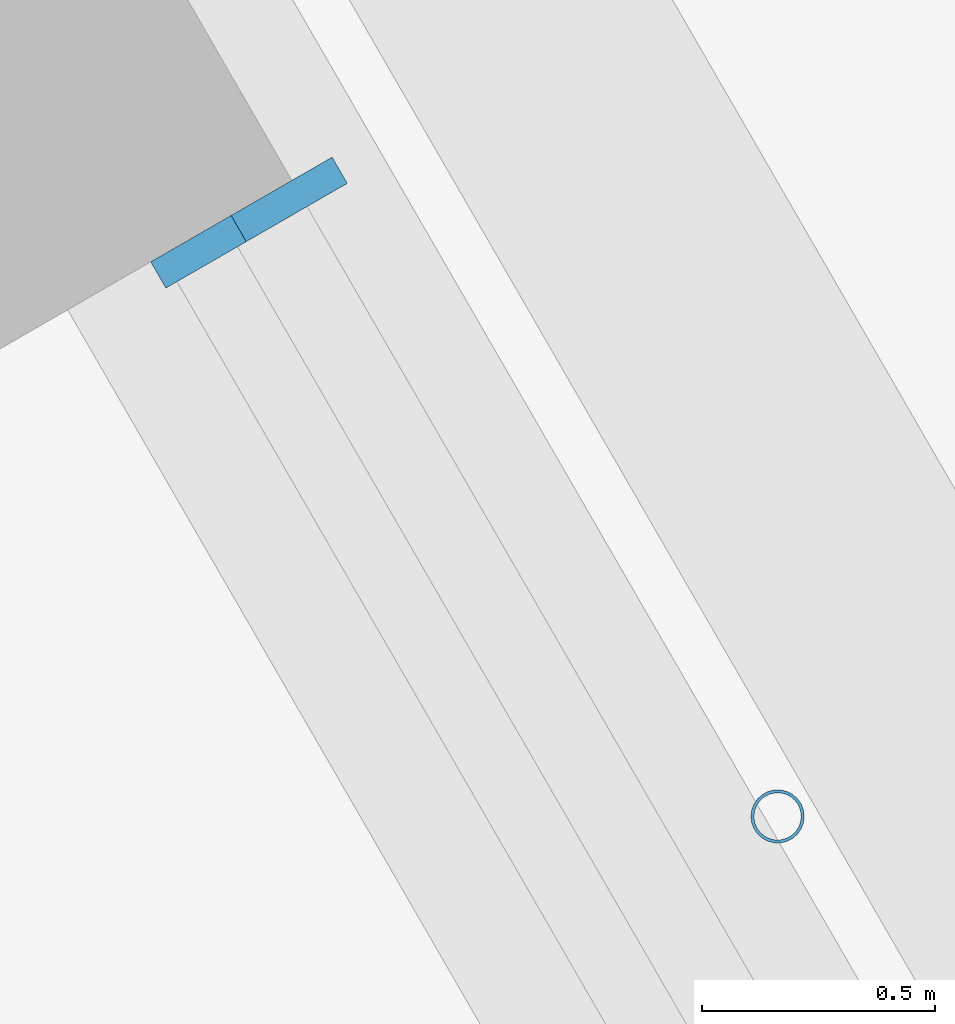
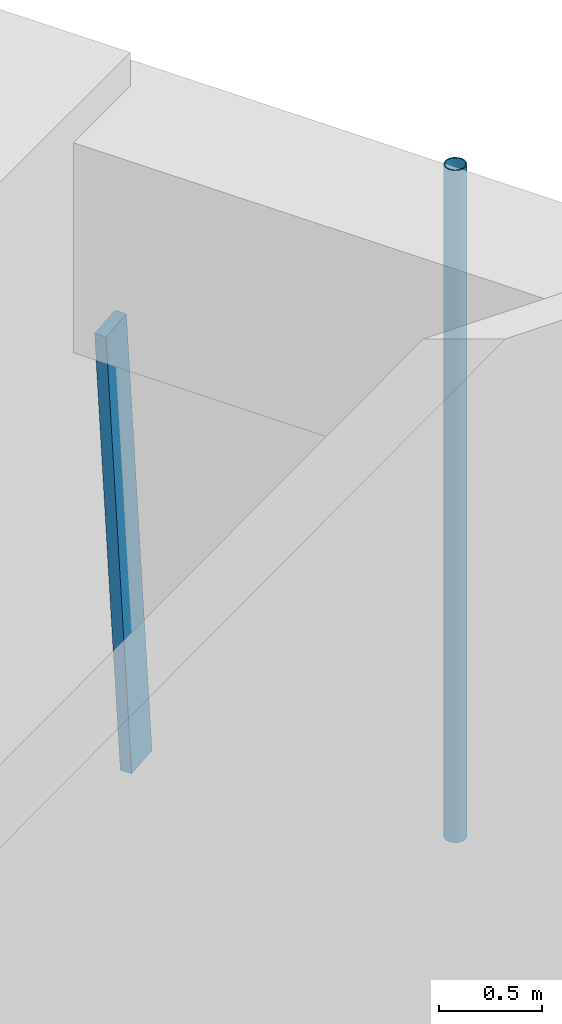
# One storey, part 15 of 24: 2 members, 1 element without a shape of its own.
"""IFC4 building model written with IfcOpenShell, lengths in metres."""

from ifc_helpers import new_model, si_unit, direction, frame, origin, origin_2d, place, context, subcontext, project, spatial, rectangle, hollow_circle, extrude, material, material_profile, profile_set, type_object, element, aggregate, save


model = new_model("IFC4")

# Units and contexts
model_context = context("Model", 3, precision=1e-05, world=origin(), true_north=direction((0.0, 1.0)))
body_context = subcontext(model_context, "Body", "Model", "MODEL_VIEW")
ifc_project = project(units=[si_unit("LENGTHUNIT", "METRE"), si_unit("AREAUNIT", "SQUARE_METRE"), si_unit("VOLUMEUNIT", "CUBIC_METRE"), si_unit("PLANEANGLEUNIT", "RADIAN"), si_unit("MASSUNIT", "GRAM", prefix="KILO")], contexts=[model_context])

# Site, building, storey
site_placement = place(None, origin())
site = spatial("IfcSite", under=ifc_project, at=site_placement, CompositionType="ELEMENT")
building_placement = place(site_placement, origin())
building = spatial("IfcBuilding", under=site, at=building_placement, Name="Tarfa Lantern Tower", CompositionType="ELEMENT")
storey_placement = place(building_placement, frame((0.0, 0.0, 140.5)))
storey = spatial("IfcBuildingStorey", under=building, at=storey_placement, Name="L31", CompositionType="ELEMENT", Elevation=140.5)

# Curtain wall, member
ifc_material_1 = material(Name="Aluminium framed curtain wall", Category="aluminium")
curtain_wall_type = type_object("IfcCurtainWallType", Name="CW2 CANTED GLAZING MID ZONE 2750", PredefinedType="USERDEFINED", material=ifc_material_1)
curtain_wall_placement = place(storey_placement, origin())
curtain_wall = element("IfcCurtainWall", 1, at=curtain_wall_placement, inside=storey, type_object=curtain_wall_type, Name="CW2 NE L31", ObjectType="CURTAIN WALL", PredefinedType="USERDEFINED")
ifc_material_2 = material(Name="Aluminium mullion", Category="aluminium")
ifc_material_profile_1 = material_profile(ifc_material_2, rectangle(XDim=0.06494140625, YDim=0.199951171875, at=origin_2d()), Name="AL MULLION 65x200")
ifc_profile_set_1 = profile_set([ifc_material_profile_1], Name="Aluminium mullion")
member_type_1 = type_object("IfcMemberType", Name="CWM1 MULLION 65x200", PredefinedType="MULLION", material=ifc_profile_set_1)
member_1_placement = place(storey_placement, frame((30.111328125, 10.645751953125, 0.0), z_axis=(-0.078422950161, -0.045267813396, 0.995891894715), x_axis=(0.499919672301, -0.866071776036, 0.0)))
member_1 = element("IfcMember", 2, at=member_1_placement, type_object=member_type_1, Name="CW2 mullion 2", PredefinedType="MULLION", context=body_context, shape_type="SweptSolid", body=[
    extrude(rectangle(XDim=0.06494140625, YDim=0.199951171875, at=origin_2d()), origin(), (0.0, 0.0, 1.0), 2.76123046875),
])
aggregate(curtain_wall, [member_1])

# Member
ifc_material_3 = material(Name="Steel S355", Category="steel")
ifc_material_profile_2 = material_profile(ifc_material_3, hollow_circle(Radius=0.05712890625, WallThickness=0.00634765625, at=origin_2d()), Name="CHS114.3x6.3")
ifc_profile_set_2 = profile_set([ifc_material_profile_2], Name="Steel S355")
member_type_2 = type_object("IfcMemberType", Name="TR1 GREEN WALL TRELLIS CHS114.3x6.3", PredefinedType="USERDEFINED", material=ifc_profile_set_2)
member_2_placement = place(storey_placement, frame((31.136474609375, 9.31005859375, 0.0), z_axis=(0.0, 0.0, 1.0), x_axis=(1.0, 0.0, 0.0)))
element("IfcMember", 3, at=member_2_placement, inside=storey, type_object=member_type_2, Name="Trellis post NE 1", ObjectType="TRELLIS", PredefinedType="USERDEFINED", context=body_context, shape_type="SweptSolid", body=[
    extrude(hollow_circle(Radius=0.05712890625, WallThickness=0.00634765625, at=origin_2d()), origin(), (0.0, 0.0, 1.0), 4.0),
])

save(model, "model.ifc")
